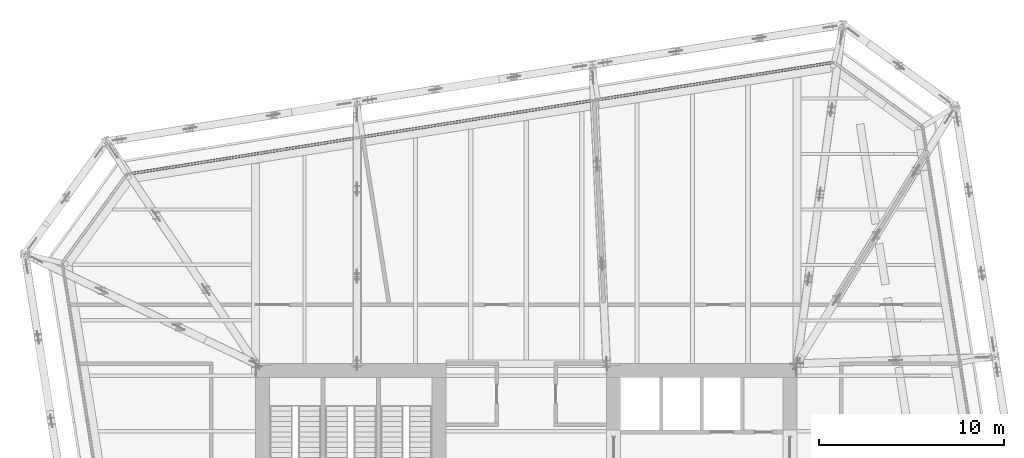
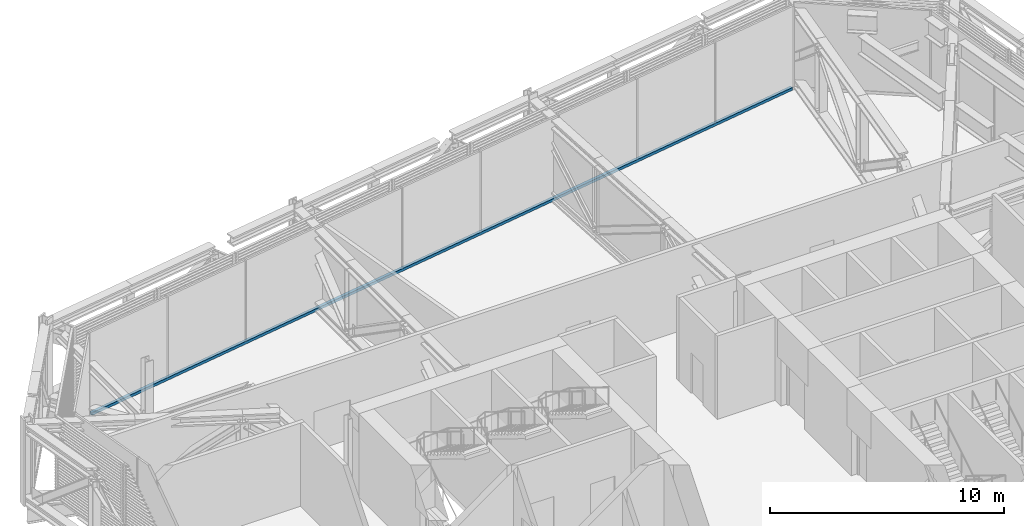
# One storey, part 14 of 31: 1 member, 1 element without a shape of its own.
"""IFC4 building model written with IfcOpenShell, lengths in metres."""

from ifc_helpers import new_model, si_unit, direction, frame, origin, origin_2d, place, context, subcontext, project, spatial, rectangle, extrude, material, layer, layer_set, material_profile, profile_set, type_object, element, aggregate, save


model = new_model("IFC4")

# Units and contexts
model_context = context("Model", 3, precision=1e-05, world=origin(), true_north=direction((0.0, 1.0)))
body_context = subcontext(model_context, "Body", "Model", "MODEL_VIEW")
ifc_project = project(units=[si_unit("LENGTHUNIT", "METRE"), si_unit("AREAUNIT", "SQUARE_METRE"), si_unit("VOLUMEUNIT", "CUBIC_METRE"), si_unit("PLANEANGLEUNIT", "RADIAN"), si_unit("MASSUNIT", "GRAM", prefix="KILO")], contexts=[model_context])

# Site, building, storey
site_placement = place(None, origin())
site = spatial("IfcSite", under=ifc_project, at=site_placement, CompositionType="ELEMENT")
building_placement = place(site_placement, origin())
building = spatial("IfcBuilding", under=site, at=building_placement, Name="Millrace Tower", CompositionType="ELEMENT")
storey_placement = place(building_placement, frame((0.0, 0.0, 195.60009765625)))
storey = spatial("IfcBuildingStorey", under=building, at=storey_placement, Name="L44", CompositionType="ELEMENT", Elevation=195.60009765625)

# Curtain wall, member
ifc_material_1 = material(Name="Aluminium and glass", Category="aluminium")
ifc_layer = layer(ifc_material_1, 0.14990234375)
ifc_layer_set = layer_set([ifc_layer], Name="Aluminium and glass")
curtain_wall_type = type_object("IfcCurtainWallType", Name="CW-5 truss and plant storey louvred infill", PredefinedType="NOTDEFINED", material=ifc_layer_set)
curtain_wall_placement = place(storey_placement, origin())
curtain_wall = element("IfcCurtainWall", 1, at=curtain_wall_placement, inside=storey, type_object=curtain_wall_type, Name="Curtain wall C-F06 L44", PredefinedType="NOTDEFINED")
ifc_material_2 = material(Name="Aluminium", Category="aluminium")
ifc_material_profile = material_profile(ifc_material_2, rectangle(XDim=0.14990234375, YDim=0.139892578125, at=origin_2d()))
ifc_profile_set = profile_set([ifc_material_profile], Name="Aluminium")
member_type = type_object("IfcMemberType", Name="CW-5 truss and plant storey louvred infill transom", PredefinedType="USERDEFINED", material=ifc_profile_set)
member_placement = place(storey_placement, frame((16.525146484375, 25.946044921875, 0.06982421875), z_axis=(-0.987688505691, -0.156433422663, 0.0), x_axis=(0.156433422663, -0.987688505691, 0.0)))
member = element("IfcMember", 2, at=member_placement, type_object=member_type, Name="CW5 transom C-F06.1", ObjectType="TRANSOM", PredefinedType="USERDEFINED", context=body_context, shape_type="SweptSolid", body=[
    extrude(rectangle(XDim=0.14990234375, YDim=0.139892578125, at=origin_2d()), origin(), (0.0, 0.0, 1.0), 38.5),
])
aggregate(curtain_wall, [member])

save(model, "model.ifc")
